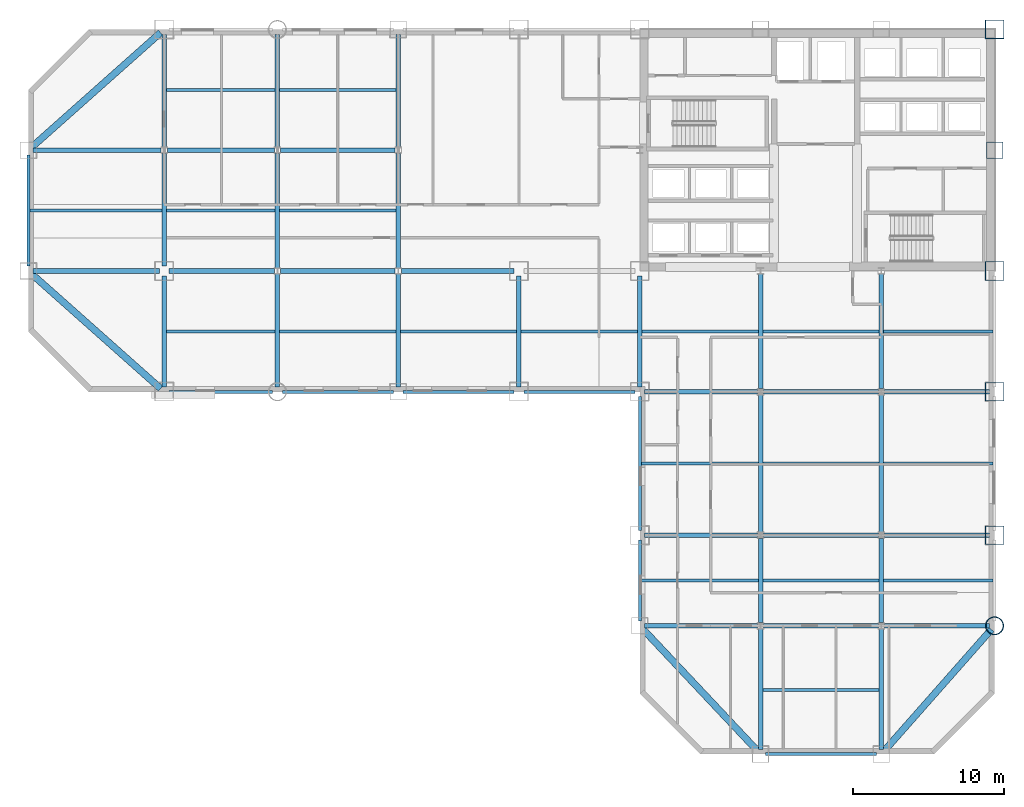
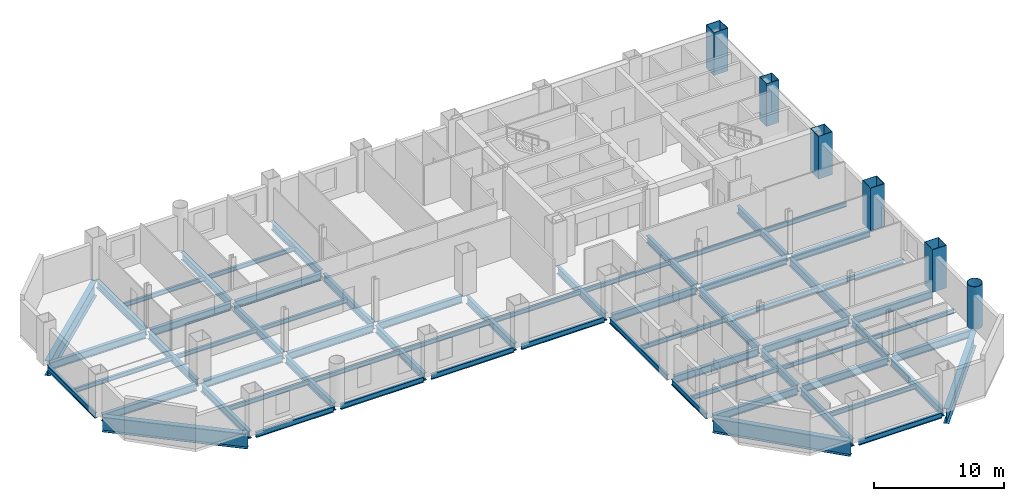
# One storey, part 3 of 9: 66 beams, 6 columns.
"""IFC4 building model written with IfcOpenShell, lengths in metres."""

from ifc_helpers import new_model, si_unit, direction, frame, origin, origin_2d, place, context, subcontext, project, spatial, hollow_rectangle, hollow_circle, i_section, extrude, material, material_profile, profile_set, type_object, element, save


model = new_model("IFC4")

# Units and contexts
model_context = context("Model", 3, precision=1e-05, world=origin(), true_north=direction((0.0, 1.0)))
body_context = subcontext(model_context, "Body", "Model", "MODEL_VIEW")
ifc_project = project(units=[si_unit("LENGTHUNIT", "METRE"), si_unit("AREAUNIT", "SQUARE_METRE"), si_unit("VOLUMEUNIT", "CUBIC_METRE"), si_unit("PLANEANGLEUNIT", "RADIAN"), si_unit("MASSUNIT", "GRAM", prefix="KILO")], contexts=[model_context])

# Site, building, storey
site_placement = place(None, origin())
site = spatial("IfcSite", under=ifc_project, at=site_placement, CompositionType="ELEMENT")
building_placement = place(site_placement, origin())
building = spatial("IfcBuilding", under=site, at=building_placement, Name="Qianrong Seaharbour Tower", CompositionType="ELEMENT")
storey_placement = place(building_placement, frame((0.0, 0.0, 32.199951171875)))
storey = spatial("IfcBuildingStorey", under=building, at=storey_placement, Name="L07", CompositionType="ELEMENT", Elevation=32.199951171875)

# Columns
ifc_material_1 = material(Name="Structural steel SN490B", Category="steel")
ifc_material_profile_1 = material_profile(ifc_material_1, hollow_rectangle(XDim=1.25, YDim=1.25, WallThickness=0.044921875, at=origin_2d()), Name="BOX1250x1250x45")
ifc_profile_set_1 = profile_set([ifc_material_profile_1], Name="Structural steel SN490B")
column_type_1 = type_object("IfcColumnType", Name="COL-CFT-1250", PredefinedType="COLUMN", material=ifc_profile_set_1)
for number, where, z_axis, x_axis, name in (
    (1, (64.0, 18.5, 0.0), (0.0, 0.0, 1.0), (1.0, 0.0, 0.0), "L07 Column MC-2 at G9/GD"),
    (2, (64.0, 28.0, 0.0), (0.0, 0.0, 1.0), (1.0, 0.0, 0.0), "L07 Column MC-2 at G9/GE"),
    (3, (64.0, 36.0, 0.0), (0.0, 0.0, 1.0), (1.0, 0.0, 0.0), "L07 Column MC-2 at G9/GF"),
    (4, (64.0, 52.0, 0.0), (0.0, 0.0, 1.0), (1.0, 0.0, 0.0), "L07 Column MC-2 at G9/GH"),
):
    element("IfcColumn", number, at=place(storey_placement, frame(where, z_axis=z_axis, x_axis=x_axis)), inside=storey, type_object=column_type_1, Name=name, PredefinedType="COLUMN", context=body_context, shape_type="SweptSolid", body=[
        extrude(hollow_rectangle(XDim=1.25, YDim=1.25, WallThickness=0.044921875, at=origin_2d()), origin(), (0.0, 0.0, 1.0), 4.0),
    ])
ifc_material_profile_2 = material_profile(ifc_material_1, hollow_circle(Radius=0.60009765625, WallThickness=0.0400390625, at=origin_2d()), Name="CHS1200x40")
ifc_profile_set_2 = profile_set([ifc_material_profile_2], Name="Structural steel SN490B")
column_type_2 = type_object("IfcColumnType", Name="COL-CHS-1200", PredefinedType="COLUMN", material=ifc_profile_set_2)
column_1_placement = place(storey_placement, frame((64.0, 12.5, 0.0), z_axis=(0.0, 0.0, 1.0), x_axis=(1.0, 0.0, 0.0)))
element("IfcColumn", 5, at=column_1_placement, inside=storey, type_object=column_type_2, Name="L07 Column CC-1 at G9/GC", PredefinedType="COLUMN", context=body_context, shape_type="SweptSolid", body=[
    extrude(hollow_circle(Radius=0.60009765625, WallThickness=0.0400390625, at=origin_2d()), origin(), (0.0, 0.0, 1.0), 4.0),
])
ifc_material_profile_3 = material_profile(ifc_material_1, hollow_rectangle(XDim=1.10009765625, YDim=1.10009765625, WallThickness=0.0400390625, at=origin_2d()), Name="BOX1100x1100x40")
ifc_profile_set_3 = profile_set([ifc_material_profile_3], Name="Structural steel SN490B")
column_type_3 = type_object("IfcColumnType", Name="COL-PER-1100", PredefinedType="COLUMN", material=ifc_profile_set_3)
column_2_placement = place(storey_placement, frame((64.0, 44.0, 0.0), z_axis=(0.0, 0.0, 1.0), x_axis=(1.0, 0.0, 0.0)))
element("IfcColumn", 6, at=column_2_placement, inside=storey, type_object=column_type_3, Name="L07 Column PC-1 at G9/GG", PredefinedType="COLUMN", context=body_context, shape_type="SweptSolid", body=[
    extrude(hollow_rectangle(XDim=1.10009765625, YDim=1.10009765625, WallThickness=0.0400390625, at=origin_2d()), origin(), (0.0, 0.0, 1.0), 4.0),
])

# Beams
ifc_material_profile_4 = material_profile(ifc_material_1, i_section(OverallWidth=0.300048828125, OverallDepth=0.699951171875, WebThickness=0.012939453125, FlangeThickness=0.02392578125, FilletRadius=0.02587890625, at=origin_2d()), Name="H700x300x13x24")
ifc_profile_set_4 = profile_set([ifc_material_profile_4], Name="Structural steel SN490B")
beam_type_1 = type_object("IfcBeamType", Name="BM-G-700", PredefinedType="BEAM", material=ifc_profile_set_4)
beam_1_placement = place(storey_placement, frame((40.820068359375, 12.5, -0.599853515625), z_axis=(1.0, 0.0, 0.0), x_axis=(0.0, 1.0, 0.0)))
element("IfcBeam", 7, at=beam_1_placement, inside=storey, type_object=beam_type_1, Name="L07 Primary Girder GC G6-G7", PredefinedType="BEAM", context=body_context, shape_type="SweptSolid", body=[
    extrude(i_section(OverallWidth=0.300048828125, OverallDepth=0.699951171875, WebThickness=0.012939453125, FlangeThickness=0.02392578125, FilletRadius=0.02587890625, at=origin_2d()), origin(), (0.0, 0.0, 1.0), 7.476318359375),
])
beam_2_placement = place(storey_placement, frame((48.70361328125, 12.5, -0.599853515625), z_axis=(1.0, 0.0, 0.0), x_axis=(0.0, 1.0, 0.0)))
element("IfcBeam", 8, at=beam_2_placement, inside=storey, type_object=beam_type_1, Name="L07 Primary Girder GC G7-G8", PredefinedType="BEAM", context=body_context, shape_type="SweptSolid", body=[
    extrude(i_section(OverallWidth=0.300048828125, OverallDepth=0.699951171875, WebThickness=0.012939453125, FlangeThickness=0.02392578125, FilletRadius=0.02587890625, at=origin_2d()), origin(), (0.0, 0.0, 1.0), 7.5927734375),
])
beam_3_placement = place(storey_placement, frame((56.70361328125, 12.5, -0.599853515625), z_axis=(1.0, 0.0, 0.0), x_axis=(0.0, 1.0, 0.0)))
element("IfcBeam", 9, at=beam_3_placement, inside=storey, type_object=beam_type_1, Name="L07 Primary Girder GC G8-G9", PredefinedType="BEAM", context=body_context, shape_type="SweptSolid", body=[
    extrude(i_section(OverallWidth=0.300048828125, OverallDepth=0.699951171875, WebThickness=0.012939453125, FlangeThickness=0.02392578125, FilletRadius=0.02587890625, at=origin_2d()), origin(), (0.0, 0.0, 1.0), 6.976318359375),
])
beam_4_placement = place(storey_placement, frame((40.820068359375, 18.5, -0.599853515625), z_axis=(1.0, 0.0, 0.0), x_axis=(0.0, 1.0, 0.0)))
element("IfcBeam", 10, at=beam_4_placement, inside=storey, type_object=beam_type_1, Name="L07 Primary Girder GD G6-G7", PredefinedType="BEAM", context=body_context, shape_type="SweptSolid", body=[
    extrude(i_section(OverallWidth=0.300048828125, OverallDepth=0.699951171875, WebThickness=0.012939453125, FlangeThickness=0.02392578125, FilletRadius=0.02587890625, at=origin_2d()), origin(), (0.0, 0.0, 1.0), 7.476318359375),
])
beam_5_placement = place(storey_placement, frame((48.70361328125, 18.5, -0.599853515625), z_axis=(1.0, 0.0, 0.0), x_axis=(0.0, 1.0, 0.0)))
element("IfcBeam", 11, at=beam_5_placement, inside=storey, type_object=beam_type_1, Name="L07 Primary Girder GD G7-G8", PredefinedType="BEAM", context=body_context, shape_type="SweptSolid", body=[
    extrude(i_section(OverallWidth=0.300048828125, OverallDepth=0.699951171875, WebThickness=0.012939453125, FlangeThickness=0.02392578125, FilletRadius=0.02587890625, at=origin_2d()), origin(), (0.0, 0.0, 1.0), 7.5927734375),
])
beam_6_placement = place(storey_placement, frame((56.70361328125, 18.5, -0.599853515625), z_axis=(1.0, 0.0, 0.0), x_axis=(0.0, 1.0, 0.0)))
element("IfcBeam", 12, at=beam_6_placement, inside=storey, type_object=beam_type_1, Name="L07 Primary Girder GD G8-G9", PredefinedType="BEAM", context=body_context, shape_type="SweptSolid", body=[
    extrude(i_section(OverallWidth=0.300048828125, OverallDepth=0.699951171875, WebThickness=0.012939453125, FlangeThickness=0.02392578125, FilletRadius=0.02587890625, at=origin_2d()), origin(), (0.0, 0.0, 1.0), 6.976318359375),
])
beam_7_placement = place(storey_placement, frame((40.820068359375, 28.0, -0.599853515625), z_axis=(1.0, 0.0, 0.0), x_axis=(0.0, 1.0, 0.0)))
element("IfcBeam", 13, at=beam_7_placement, inside=storey, type_object=beam_type_1, Name="L07 Primary Girder GE G6-G7", PredefinedType="BEAM", context=body_context, shape_type="SweptSolid", body=[
    extrude(i_section(OverallWidth=0.300048828125, OverallDepth=0.699951171875, WebThickness=0.012939453125, FlangeThickness=0.02392578125, FilletRadius=0.02587890625, at=origin_2d()), origin(), (0.0, 0.0, 1.0), 7.476318359375),
])
beam_8_placement = place(storey_placement, frame((48.70361328125, 28.0, -0.599853515625), z_axis=(1.0, 0.0, 0.0), x_axis=(0.0, 1.0, 0.0)))
element("IfcBeam", 14, at=beam_8_placement, inside=storey, type_object=beam_type_1, Name="L07 Primary Girder GE G7-G8", PredefinedType="BEAM", context=body_context, shape_type="SweptSolid", body=[
    extrude(i_section(OverallWidth=0.300048828125, OverallDepth=0.699951171875, WebThickness=0.012939453125, FlangeThickness=0.02392578125, FilletRadius=0.02587890625, at=origin_2d()), origin(), (0.0, 0.0, 1.0), 7.5927734375),
])
beam_9_placement = place(storey_placement, frame((56.70361328125, 28.0, -0.599853515625), z_axis=(1.0, 0.0, 0.0), x_axis=(0.0, 1.0, 0.0)))
element("IfcBeam", 15, at=beam_9_placement, inside=storey, type_object=beam_type_1, Name="L07 Primary Girder GE G8-G9", PredefinedType="BEAM", context=body_context, shape_type="SweptSolid", body=[
    extrude(i_section(OverallWidth=0.300048828125, OverallDepth=0.699951171875, WebThickness=0.012939453125, FlangeThickness=0.02392578125, FilletRadius=0.02587890625, at=origin_2d()), origin(), (0.0, 0.0, 1.0), 6.976318359375),
])
beam_10_placement = place(storey_placement, frame((0.320068359375, 36.0, -0.599853515625), z_axis=(1.0, 0.0, 0.0), x_axis=(0.0, 1.0, 0.0)))
element("IfcBeam", 16, at=beam_10_placement, inside=storey, type_object=beam_type_1, Name="L07 Primary Girder GF G1-G2", PredefinedType="BEAM", context=body_context, shape_type="SweptSolid", body=[
    extrude(i_section(OverallWidth=0.300048828125, OverallDepth=0.699951171875, WebThickness=0.012939453125, FlangeThickness=0.02392578125, FilletRadius=0.02587890625, at=origin_2d()), origin(), (0.0, 0.0, 1.0), 8.35986328125),
])
beam_11_placement = place(storey_placement, frame((9.320068359375, 36.0, -0.599853515625), z_axis=(1.0, 0.0, 0.0), x_axis=(0.0, 1.0, 0.0)))
element("IfcBeam", 17, at=beam_11_placement, inside=storey, type_object=beam_type_1, Name="L07 Primary Girder GF G2-G3", PredefinedType="BEAM", context=body_context, shape_type="SweptSolid", body=[
    extrude(i_section(OverallWidth=0.300048828125, OverallDepth=0.699951171875, WebThickness=0.012939453125, FlangeThickness=0.02392578125, FilletRadius=0.02587890625, at=origin_2d()), origin(), (0.0, 0.0, 1.0), 6.976318359375),
])
beam_12_placement = place(storey_placement, frame((16.70361328125, 36.0, -0.599853515625), z_axis=(1.0, 0.0, 0.0), x_axis=(0.0, 1.0, 0.0)))
element("IfcBeam", 18, at=beam_12_placement, inside=storey, type_object=beam_type_1, Name="L07 Primary Girder GF G3-G4", PredefinedType="BEAM", context=body_context, shape_type="SweptSolid", body=[
    extrude(i_section(OverallWidth=0.300048828125, OverallDepth=0.699951171875, WebThickness=0.012939453125, FlangeThickness=0.02392578125, FilletRadius=0.02587890625, at=origin_2d()), origin(), (0.0, 0.0, 1.0), 7.5927734375),
])
beam_13_placement = place(storey_placement, frame((24.70361328125, 36.0, -0.599853515625), z_axis=(1.0, 0.0, 0.0), x_axis=(0.0, 1.0, 0.0)))
element("IfcBeam", 19, at=beam_13_placement, inside=storey, type_object=beam_type_1, Name="L07 Primary Girder GF G4-G5", PredefinedType="BEAM", context=body_context, shape_type="SweptSolid", body=[
    extrude(i_section(OverallWidth=0.300048828125, OverallDepth=0.699951171875, WebThickness=0.012939453125, FlangeThickness=0.02392578125, FilletRadius=0.02587890625, at=origin_2d()), origin(), (0.0, 0.0, 1.0), 7.476318359375),
])
beam_14_placement = place(storey_placement, frame((0.320068359375, 44.0, -0.599853515625), z_axis=(1.0, 0.0, 0.0), x_axis=(0.0, 1.0, 0.0)))
element("IfcBeam", 20, at=beam_14_placement, inside=storey, type_object=beam_type_1, Name="L07 Primary Girder GG G1-G2", PredefinedType="BEAM", context=body_context, shape_type="SweptSolid", body=[
    extrude(i_section(OverallWidth=0.300048828125, OverallDepth=0.699951171875, WebThickness=0.012939453125, FlangeThickness=0.02392578125, FilletRadius=0.02587890625, at=origin_2d()), origin(), (0.0, 0.0, 1.0), 8.476318359375),
])
beam_15_placement = place(storey_placement, frame((9.20361328125, 44.0, -0.599853515625), z_axis=(1.0, 0.0, 0.0), x_axis=(0.0, 1.0, 0.0)))
element("IfcBeam", 21, at=beam_15_placement, inside=storey, type_object=beam_type_1, Name="L07 Primary Girder GG G2-G3", PredefinedType="BEAM", context=body_context, shape_type="SweptSolid", body=[
    extrude(i_section(OverallWidth=0.300048828125, OverallDepth=0.699951171875, WebThickness=0.012939453125, FlangeThickness=0.02392578125, FilletRadius=0.02587890625, at=origin_2d()), origin(), (0.0, 0.0, 1.0), 7.0927734375),
])
beam_16_placement = place(storey_placement, frame((16.70361328125, 44.0, -0.599853515625), z_axis=(1.0, 0.0, 0.0), x_axis=(0.0, 1.0, 0.0)))
element("IfcBeam", 22, at=beam_16_placement, inside=storey, type_object=beam_type_1, Name="L07 Primary Girder GG G3-G4", PredefinedType="BEAM", context=body_context, shape_type="SweptSolid", body=[
    extrude(i_section(OverallWidth=0.300048828125, OverallDepth=0.699951171875, WebThickness=0.012939453125, FlangeThickness=0.02392578125, FilletRadius=0.02587890625, at=origin_2d()), origin(), (0.0, 0.0, 1.0), 7.5927734375),
])
beam_17_placement = place(storey_placement, frame((9.0, 28.320068359375, -0.599853515625), z_axis=(0.0, 1.0, 0.0), x_axis=(-1.0, 0.0, 0.0)))
element("IfcBeam", 23, at=beam_17_placement, inside=storey, type_object=beam_type_1, Name="L07 Primary Girder G2 GE-GF", PredefinedType="BEAM", context=body_context, shape_type="SweptSolid", body=[
    extrude(i_section(OverallWidth=0.300048828125, OverallDepth=0.699951171875, WebThickness=0.012939453125, FlangeThickness=0.02392578125, FilletRadius=0.02587890625, at=origin_2d()), origin(), (0.0, 0.0, 1.0), 7.35986328125),
])
for number, where, z_axis, x_axis, name in (
    (24, (9.0, 36.320068359375, -0.599853515625), (0.0, 1.0, 0.0), (-1.0, 0.0, 0.0), "L07 Primary Girder G2 GF-GG"),
    (25, (9.0, 44.214111328125, -0.599853515625), (0.0, 1.0, 0.0), (-1.0, 0.0, 0.0), "L07 Primary Girder G2 GG-GH"),
    (26, (16.5, 28.320068359375, -0.599853515625), (0.0, 1.0, 0.0), (-1.0, 0.0, 0.0), "L07 Primary Girder G3 GE-GF"),
):
    element("IfcBeam", number, at=place(storey_placement, frame(where, z_axis=z_axis, x_axis=x_axis)), inside=storey, type_object=beam_type_1, Name=name, PredefinedType="BEAM", context=body_context, shape_type="SweptSolid", body=[
        extrude(i_section(OverallWidth=0.300048828125, OverallDepth=0.699951171875, WebThickness=0.012939453125, FlangeThickness=0.02392578125, FilletRadius=0.02587890625, at=origin_2d()), origin(), (0.0, 0.0, 1.0), 7.4658203125),
    ])
beam_18_placement = place(storey_placement, frame((16.5, 36.214111328125, -0.599853515625), z_axis=(0.0, 1.0, 0.0), x_axis=(-1.0, 0.0, 0.0)))
element("IfcBeam", 27, at=beam_18_placement, inside=storey, type_object=beam_type_1, Name="L07 Primary Girder G3 GF-GG", PredefinedType="BEAM", context=body_context, shape_type="SweptSolid", body=[
    extrude(i_section(OverallWidth=0.300048828125, OverallDepth=0.699951171875, WebThickness=0.012939453125, FlangeThickness=0.02392578125, FilletRadius=0.02587890625, at=origin_2d()), origin(), (0.0, 0.0, 1.0), 7.57177734375),
])
for number, where, z_axis, x_axis, name in (
    (28, (16.5, 44.214111328125, -0.599853515625), (0.0, 1.0, 0.0), (-1.0, 0.0, 0.0), "L07 Primary Girder G3 GG-GH"),
    (29, (24.5, 28.320068359375, -0.599853515625), (0.0, 1.0, 0.0), (-1.0, 0.0, 0.0), "L07 Primary Girder G4 GE-GF"),
):
    element("IfcBeam", number, at=place(storey_placement, frame(where, z_axis=z_axis, x_axis=x_axis)), inside=storey, type_object=beam_type_1, Name=name, PredefinedType="BEAM", context=body_context, shape_type="SweptSolid", body=[
        extrude(i_section(OverallWidth=0.300048828125, OverallDepth=0.699951171875, WebThickness=0.012939453125, FlangeThickness=0.02392578125, FilletRadius=0.02587890625, at=origin_2d()), origin(), (0.0, 0.0, 1.0), 7.4658203125),
    ])
beam_19_placement = place(storey_placement, frame((24.5, 36.214111328125, -0.599853515625), z_axis=(0.0, 1.0, 0.0), x_axis=(-1.0, 0.0, 0.0)))
element("IfcBeam", 30, at=beam_19_placement, inside=storey, type_object=beam_type_1, Name="L07 Primary Girder G4 GF-GG", PredefinedType="BEAM", context=body_context, shape_type="SweptSolid", body=[
    extrude(i_section(OverallWidth=0.300048828125, OverallDepth=0.699951171875, WebThickness=0.012939453125, FlangeThickness=0.02392578125, FilletRadius=0.02587890625, at=origin_2d()), origin(), (0.0, 0.0, 1.0), 7.57177734375),
])
beam_20_placement = place(storey_placement, frame((24.5, 44.214111328125, -0.599853515625), z_axis=(0.0, 1.0, 0.0), x_axis=(-1.0, 0.0, 0.0)))
element("IfcBeam", 31, at=beam_20_placement, inside=storey, type_object=beam_type_1, Name="L07 Primary Girder G4 GG-GH", PredefinedType="BEAM", context=body_context, shape_type="SweptSolid", body=[
    extrude(i_section(OverallWidth=0.300048828125, OverallDepth=0.699951171875, WebThickness=0.012939453125, FlangeThickness=0.02392578125, FilletRadius=0.02587890625, at=origin_2d()), origin(), (0.0, 0.0, 1.0), 7.4658203125),
])
for number, where, z_axis, x_axis, name in (
    (32, (32.5, 28.320068359375, -0.599853515625), (0.0, 1.0, 0.0), (-1.0, 0.0, 0.0), "L07 Primary Girder G5 GE-GF"),
    (33, (40.5, 28.320068359375, -0.599853515625), (0.0, 1.0, 0.0), (-1.0, 0.0, 0.0), "L07 Primary Girder G6 GE-GF"),
):
    element("IfcBeam", number, at=place(storey_placement, frame(where, z_axis=z_axis, x_axis=x_axis)), inside=storey, type_object=beam_type_1, Name=name, PredefinedType="BEAM", context=body_context, shape_type="SweptSolid", body=[
        extrude(i_section(OverallWidth=0.300048828125, OverallDepth=0.699951171875, WebThickness=0.012939453125, FlangeThickness=0.02392578125, FilletRadius=0.02587890625, at=origin_2d()), origin(), (0.0, 0.0, 1.0), 7.35986328125),
    ])
beam_21_placement = place(storey_placement, frame((48.5, 4.320068359375, -0.599853515625), z_axis=(0.0, 1.0, 0.0), x_axis=(-1.0, 0.0, 0.0)))
element("IfcBeam", 34, at=beam_21_placement, inside=storey, type_object=beam_type_1, Name="L07 Primary Girder G7 GB-GC", PredefinedType="BEAM", context=body_context, shape_type="SweptSolid", body=[
    extrude(i_section(OverallWidth=0.300048828125, OverallDepth=0.699951171875, WebThickness=0.012939453125, FlangeThickness=0.02392578125, FilletRadius=0.02587890625, at=origin_2d()), origin(), (0.0, 0.0, 1.0), 7.9658203125),
])
beam_22_placement = place(storey_placement, frame((48.5, 12.714111328125, -0.599853515625), z_axis=(0.0, 1.0, 0.0), x_axis=(-1.0, 0.0, 0.0)))
element("IfcBeam", 35, at=beam_22_placement, inside=storey, type_object=beam_type_1, Name="L07 Primary Girder G7 GC-GD", PredefinedType="BEAM", context=body_context, shape_type="SweptSolid", body=[
    extrude(i_section(OverallWidth=0.300048828125, OverallDepth=0.699951171875, WebThickness=0.012939453125, FlangeThickness=0.02392578125, FilletRadius=0.02587890625, at=origin_2d()), origin(), (0.0, 0.0, 1.0), 5.57177734375),
])
beam_23_placement = place(storey_placement, frame((48.5, 28.214111328125, -0.599853515625), z_axis=(0.0, 1.0, 0.0), x_axis=(-1.0, 0.0, 0.0)))
element("IfcBeam", 36, at=beam_23_placement, inside=storey, type_object=beam_type_1, Name="L07 Primary Girder G7 GE-GF", PredefinedType="BEAM", context=body_context, shape_type="SweptSolid", body=[
    extrude(i_section(OverallWidth=0.300048828125, OverallDepth=0.699951171875, WebThickness=0.012939453125, FlangeThickness=0.02392578125, FilletRadius=0.02587890625, at=origin_2d()), origin(), (0.0, 0.0, 1.0), 7.57177734375),
])
beam_24_placement = place(storey_placement, frame((56.5, 4.320068359375, -0.599853515625), z_axis=(0.0, 1.0, 0.0), x_axis=(-1.0, 0.0, 0.0)))
element("IfcBeam", 37, at=beam_24_placement, inside=storey, type_object=beam_type_1, Name="L07 Primary Girder G8 GB-GC", PredefinedType="BEAM", context=body_context, shape_type="SweptSolid", body=[
    extrude(i_section(OverallWidth=0.300048828125, OverallDepth=0.699951171875, WebThickness=0.012939453125, FlangeThickness=0.02392578125, FilletRadius=0.02587890625, at=origin_2d()), origin(), (0.0, 0.0, 1.0), 7.9658203125),
])
beam_25_placement = place(storey_placement, frame((56.5, 12.714111328125, -0.599853515625), z_axis=(0.0, 1.0, 0.0), x_axis=(-1.0, 0.0, 0.0)))
element("IfcBeam", 38, at=beam_25_placement, inside=storey, type_object=beam_type_1, Name="L07 Primary Girder G8 GC-GD", PredefinedType="BEAM", context=body_context, shape_type="SweptSolid", body=[
    extrude(i_section(OverallWidth=0.300048828125, OverallDepth=0.699951171875, WebThickness=0.012939453125, FlangeThickness=0.02392578125, FilletRadius=0.02587890625, at=origin_2d()), origin(), (0.0, 0.0, 1.0), 5.57177734375),
])
beam_26_placement = place(storey_placement, frame((56.5, 28.214111328125, -0.599853515625), z_axis=(0.0, 1.0, 0.0), x_axis=(-1.0, 0.0, 0.0)))
element("IfcBeam", 39, at=beam_26_placement, inside=storey, type_object=beam_type_1, Name="L07 Primary Girder G8 GE-GF", PredefinedType="BEAM", context=body_context, shape_type="SweptSolid", body=[
    extrude(i_section(OverallWidth=0.300048828125, OverallDepth=0.699951171875, WebThickness=0.012939453125, FlangeThickness=0.02392578125, FilletRadius=0.02587890625, at=origin_2d()), origin(), (0.0, 0.0, 1.0), 7.57177734375),
])
ifc_material_profile_5 = material_profile(ifc_material_1, i_section(OverallWidth=0.300048828125, OverallDepth=0.800048828125, WebThickness=0.013916015625, FlangeThickness=0.02587890625, FilletRadius=0.028076171875, at=origin_2d()), Name="H800x300x14x26")
ifc_profile_set_5 = profile_set([ifc_material_profile_5], Name="Structural steel SN490B")
beam_type_2 = type_object("IfcBeamType", Name="BM-G-800", PredefinedType="BEAM", material=ifc_profile_set_5)
for number, where, z_axis, x_axis, name in (
    (40, (48.5, 18.714111328125, -0.64990234375), (0.0, 1.0, 0.0), (-1.0, 0.0, 0.0), "L07 Primary Girder G7 GD-GE"),
    (41, (56.5, 18.714111328125, -0.64990234375), (0.0, 1.0, 0.0), (-1.0, 0.0, 0.0), "L07 Primary Girder G8 GD-GE"),
):
    element("IfcBeam", number, at=place(storey_placement, frame(where, z_axis=z_axis, x_axis=x_axis)), inside=storey, type_object=beam_type_2, Name=name, PredefinedType="BEAM", context=body_context, shape_type="SweptSolid", body=[
        extrude(i_section(OverallWidth=0.300048828125, OverallDepth=0.800048828125, WebThickness=0.013916015625, FlangeThickness=0.02587890625, FilletRadius=0.028076171875, at=origin_2d()), origin(), (0.0, 0.0, 1.0), 9.07177734375),
    ])
ifc_material_2 = material(Name="Structural steel SN400B", Category="steel")
ifc_material_profile_6 = material_profile(ifc_material_2, i_section(OverallWidth=0.199951171875, OverallDepth=0.39990234375, WebThickness=0.008056640625, FlangeThickness=0.012939453125, FilletRadius=0.01611328125, at=origin_2d()), Name="H400x200x8x13")
ifc_profile_set_6 = profile_set([ifc_material_profile_6], Name="Structural steel SN400B")
beam_type_3 = type_object("IfcBeamType", Name="BM-J-400", PredefinedType="JOIST", material=ifc_profile_set_6)
beam_27_placement = place(storey_placement, frame((0.10009765625, 40.0, -0.449951171875), z_axis=(1.0, 0.0, 0.0), x_axis=(0.0, 1.0, 0.0)))
element("IfcBeam", 42, at=beam_27_placement, inside=storey, type_object=beam_type_3, Name="L07 Composite Floor Joist G1-G2/GF-GG", PredefinedType="JOIST", context=body_context, shape_type="SweptSolid", body=[
    extrude(i_section(OverallWidth=0.199951171875, OverallDepth=0.39990234375, WebThickness=0.008056640625, FlangeThickness=0.012939453125, FilletRadius=0.01611328125, at=origin_2d()), origin(), (0.0, 0.0, 1.0), 8.75),
])
for number, where, z_axis, x_axis, name in (
    (43, (9.14990234375, 32.0, -0.449951171875), (1.0, 0.0, 0.0), (0.0, 1.0, 0.0), "L07 Composite Floor Joist G2-G3/GE-GF"),
    (44, (9.14990234375, 40.0, -0.449951171875), (1.0, 0.0, 0.0), (0.0, 1.0, 0.0), "L07 Composite Floor Joist G2-G3/GF-GG"),
    (45, (9.14990234375, 48.0, -0.449951171875), (1.0, 0.0, 0.0), (0.0, 1.0, 0.0), "L07 Composite Floor Joist G2-G3/GG-GH"),
):
    element("IfcBeam", number, at=place(storey_placement, frame(where, z_axis=z_axis, x_axis=x_axis)), inside=storey, type_object=beam_type_3, Name=name, PredefinedType="JOIST", context=body_context, shape_type="SweptSolid", body=[
        extrude(i_section(OverallWidth=0.199951171875, OverallDepth=0.39990234375, WebThickness=0.008056640625, FlangeThickness=0.012939453125, FilletRadius=0.01611328125, at=origin_2d()), origin(), (0.0, 0.0, 1.0), 7.2001953125),
    ])
for number, where, z_axis, x_axis, name in (
    (46, (16.64990234375, 32.0, -0.449951171875), (1.0, 0.0, 0.0), (0.0, 1.0, 0.0), "L07 Composite Floor Joist G3-G4/GE-GF"),
    (47, (16.64990234375, 40.0, -0.449951171875), (1.0, 0.0, 0.0), (0.0, 1.0, 0.0), "L07 Composite Floor Joist G3-G4/GF-GG"),
    (48, (16.64990234375, 48.0, -0.449951171875), (1.0, 0.0, 0.0), (0.0, 1.0, 0.0), "L07 Composite Floor Joist G3-G4/GG-GH"),
    (49, (24.64990234375, 32.0, -0.449951171875), (1.0, 0.0, 0.0), (0.0, 1.0, 0.0), "L07 Composite Floor Joist G4-G5/GE-GF"),
    (50, (32.64990234375, 32.0, -0.449951171875), (1.0, 0.0, 0.0), (0.0, 1.0, 0.0), "L07 Composite Floor Joist G5-G6/GE-GF"),
):
    element("IfcBeam", number, at=place(storey_placement, frame(where, z_axis=z_axis, x_axis=x_axis)), inside=storey, type_object=beam_type_3, Name=name, PredefinedType="JOIST", context=body_context, shape_type="SweptSolid", body=[
        extrude(i_section(OverallWidth=0.199951171875, OverallDepth=0.39990234375, WebThickness=0.008056640625, FlangeThickness=0.012939453125, FilletRadius=0.01611328125, at=origin_2d()), origin(), (0.0, 0.0, 1.0), 7.7001953125),
    ])
for number, where, z_axis, x_axis, name in (
    (51, (40.60009765625, 15.5, -0.449951171875), (1.0, 0.0, 0.0), (0.0, 1.0, 0.0), "L07 Composite Floor Joist G6-G7/GC-GD"),
    (52, (40.60009765625, 23.25, -0.449951171875), (1.0, 0.0, 0.0), (0.0, 1.0, 0.0), "L07 Composite Floor Joist G6-G7/GD-GE"),
):
    element("IfcBeam", number, at=place(storey_placement, frame(where, z_axis=z_axis, x_axis=x_axis)), inside=storey, type_object=beam_type_3, Name=name, PredefinedType="JOIST", context=body_context, shape_type="SweptSolid", body=[
        extrude(i_section(OverallWidth=0.199951171875, OverallDepth=0.39990234375, WebThickness=0.008056640625, FlangeThickness=0.012939453125, FilletRadius=0.01611328125, at=origin_2d()), origin(), (0.0, 0.0, 1.0), 7.75),
    ])
for number, where, z_axis, x_axis, name in (
    (53, (40.64990234375, 32.0, -0.449951171875), (1.0, 0.0, 0.0), (0.0, 1.0, 0.0), "L07 Composite Floor Joist G6-G7/GE-GF"),
    (54, (48.64990234375, 8.25, -0.449951171875), (1.0, 0.0, 0.0), (0.0, 1.0, 0.0), "L07 Composite Floor Joist G7-G8/GB-GC"),
    (55, (48.64990234375, 15.5, -0.449951171875), (1.0, 0.0, 0.0), (0.0, 1.0, 0.0), "L07 Composite Floor Joist G7-G8/GC-GD"),
    (56, (48.64990234375, 23.25, -0.449951171875), (1.0, 0.0, 0.0), (0.0, 1.0, 0.0), "L07 Composite Floor Joist G7-G8/GD-GE"),
    (57, (48.64990234375, 32.0, -0.449951171875), (1.0, 0.0, 0.0), (0.0, 1.0, 0.0), "L07 Composite Floor Joist G7-G8/GE-GF"),
):
    element("IfcBeam", number, at=place(storey_placement, frame(where, z_axis=z_axis, x_axis=x_axis)), inside=storey, type_object=beam_type_3, Name=name, PredefinedType="JOIST", context=body_context, shape_type="SweptSolid", body=[
        extrude(i_section(OverallWidth=0.199951171875, OverallDepth=0.39990234375, WebThickness=0.008056640625, FlangeThickness=0.012939453125, FilletRadius=0.01611328125, at=origin_2d()), origin(), (0.0, 0.0, 1.0), 7.7001953125),
    ])
for number, where, z_axis, x_axis, name in (
    (58, (56.64990234375, 15.5, -0.449951171875), (1.0, 0.0, 0.0), (0.0, 1.0, 0.0), "L07 Composite Floor Joist G8-G9/GC-GD"),
    (59, (56.64990234375, 23.25, -0.449951171875), (1.0, 0.0, 0.0), (0.0, 1.0, 0.0), "L07 Composite Floor Joist G8-G9/GD-GE"),
    (60, (56.64990234375, 32.0, -0.449951171875), (1.0, 0.0, 0.0), (0.0, 1.0, 0.0), "L07 Composite Floor Joist G8-G9/GE-GF"),
):
    element("IfcBeam", number, at=place(storey_placement, frame(where, z_axis=z_axis, x_axis=x_axis)), inside=storey, type_object=beam_type_3, Name=name, PredefinedType="JOIST", context=body_context, shape_type="SweptSolid", body=[
        extrude(i_section(OverallWidth=0.199951171875, OverallDepth=0.39990234375, WebThickness=0.008056640625, FlangeThickness=0.012939453125, FilletRadius=0.01611328125, at=origin_2d()), origin(), (0.0, 0.0, 1.0), 7.25),
    ])
ifc_material_profile_7 = material_profile(ifc_material_1, i_section(OverallWidth=0.199951171875, OverallDepth=0.5, WebThickness=0.010009765625, FlangeThickness=0.01611328125, FilletRadius=0.02001953125, at=origin_2d()), Name="H500x200x10x16")
ifc_profile_set_7 = profile_set([ifc_material_profile_7], Name="Structural steel SN490B")
beam_type_4 = type_object("IfcBeamType", Name="BM-SP-500", PredefinedType="SPANDREL", material=ifc_profile_set_7)
beam_28_placement = place(storey_placement, frame((48.820068359375, 4.0, -0.5), z_axis=(1.0, 0.0, 0.0), x_axis=(0.0, 1.0, 0.0)))
element("IfcBeam", 61, at=beam_28_placement, inside=storey, type_object=beam_type_4, Name="L07 Spandrel Girder GB G7-G8", PredefinedType="SPANDREL", context=body_context, shape_type="SweptSolid", body=[
    extrude(i_section(OverallWidth=0.199951171875, OverallDepth=0.5, WebThickness=0.010009765625, FlangeThickness=0.01611328125, FilletRadius=0.02001953125, at=origin_2d()), origin(), (0.0, 0.0, 1.0), 7.35986328125),
])
beam_29_placement = place(storey_placement, frame((9.320068359375, 28.0, -0.5), z_axis=(1.0, 0.0, 0.0), x_axis=(0.0, 1.0, 0.0)))
element("IfcBeam", 62, at=beam_29_placement, inside=storey, type_object=beam_type_4, Name="L07 Spandrel Girder GE G2-G3", PredefinedType="SPANDREL", context=body_context, shape_type="SweptSolid", body=[
    extrude(i_section(OverallWidth=0.199951171875, OverallDepth=0.5, WebThickness=0.010009765625, FlangeThickness=0.01611328125, FilletRadius=0.02001953125, at=origin_2d()), origin(), (0.0, 0.0, 1.0), 6.85986328125),
])
for number, where, z_axis, x_axis, name in (
    (63, (16.820068359375, 28.0, -0.5), (1.0, 0.0, 0.0), (0.0, 1.0, 0.0), "L07 Spandrel Girder GE G3-G4"),
    (64, (24.820068359375, 28.0, -0.5), (1.0, 0.0, 0.0), (0.0, 1.0, 0.0), "L07 Spandrel Girder GE G4-G5"),
    (65, (32.820068359375, 28.0, -0.5), (1.0, 0.0, 0.0), (0.0, 1.0, 0.0), "L07 Spandrel Girder GE G5-G6"),
    (66, (0.0, 36.320068359375, -0.5), (0.0, 1.0, 0.0), (-1.0, 0.0, 0.0), "L07 Spandrel Girder G1 GF-GG"),
):
    element("IfcBeam", number, at=place(storey_placement, frame(where, z_axis=z_axis, x_axis=x_axis)), inside=storey, type_object=beam_type_4, Name=name, PredefinedType="SPANDREL", context=body_context, shape_type="SweptSolid", body=[
        extrude(i_section(OverallWidth=0.199951171875, OverallDepth=0.5, WebThickness=0.010009765625, FlangeThickness=0.01611328125, FilletRadius=0.02001953125, at=origin_2d()), origin(), (0.0, 0.0, 1.0), 7.35986328125),
    ])
beam_30_placement = place(storey_placement, frame((40.5, 12.820068359375, -0.5), z_axis=(0.0, 1.0, 0.0), x_axis=(-1.0, 0.0, 0.0)))
element("IfcBeam", 67, at=beam_30_placement, inside=storey, type_object=beam_type_4, Name="L07 Spandrel Girder G6 GC-GD", PredefinedType="SPANDREL", context=body_context, shape_type="SweptSolid", body=[
    extrude(i_section(OverallWidth=0.199951171875, OverallDepth=0.5, WebThickness=0.010009765625, FlangeThickness=0.01611328125, FilletRadius=0.02001953125, at=origin_2d()), origin(), (0.0, 0.0, 1.0), 5.35986328125),
])
beam_31_placement = place(storey_placement, frame((40.5, 18.820068359375, -0.5), z_axis=(0.0, 1.0, 0.0), x_axis=(-1.0, 0.0, 0.0)))
element("IfcBeam", 68, at=beam_31_placement, inside=storey, type_object=beam_type_4, Name="L07 Spandrel Girder G6 GD-GE", PredefinedType="SPANDREL", context=body_context, shape_type="SweptSolid", body=[
    extrude(i_section(OverallWidth=0.199951171875, OverallDepth=0.5, WebThickness=0.010009765625, FlangeThickness=0.01611328125, FilletRadius=0.02001953125, at=origin_2d()), origin(), (0.0, 0.0, 1.0), 8.85986328125),
])
ifc_material_profile_8 = material_profile(ifc_material_1, i_section(OverallWidth=0.449951171875, OverallDepth=1.39990234375, WebThickness=0.02197265625, FlangeThickness=0.0400390625, at=origin_2d()), Name="BH1400x450x22x40")
ifc_profile_set_8 = profile_set([ifc_material_profile_8], Name="Structural steel SN490B")
beam_type_5 = type_object("IfcBeamType", Name="BM-TG-1400", PredefinedType="BEAM", material=ifc_profile_set_8)
for number, where, z_axis, x_axis, name in (
    (69, (8.7607421875, 28.212646484375, -0.949951171875), (-0.747406955841, 0.664366497018, 0.0), (-0.664366497018, -0.747406955841, 0.0), "L07 Chamfer Corner Spandrel Girder G1/GE"),
    (70, (8.7607421875, 51.787353515625, -0.949951171875), (-0.747406955841, -0.664366497018, 0.0), (0.664366497018, -0.747406955841, 0.0), "L07 Chamfer Corner Spandrel Girder G1/GH"),
):
    element("IfcBeam", number, at=place(storey_placement, frame(where, z_axis=z_axis, x_axis=x_axis)), inside=storey, type_object=beam_type_5, Name=name, PredefinedType="BEAM", context=body_context, shape_type="SweptSolid", body=[
        extrude(i_section(OverallWidth=0.449951171875, OverallDepth=1.39990234375, WebThickness=0.02197265625, FlangeThickness=0.0400390625, at=origin_2d()), origin(), (0.0, 0.0, 1.0), 11.4013671875),
    ])
beam_32_placement = place(storey_placement, frame((48.28076171875, 4.23291015625, -0.949951171875), z_axis=(-0.685361938021, 0.728202591256, 0.0), x_axis=(-0.728202591256, -0.685361938021, 0.0)))
element("IfcBeam", 71, at=beam_32_placement, inside=storey, type_object=beam_type_5, Name="L07 Chamfer Corner Spandrel Girder G6/GB", PredefinedType="BEAM", context=body_context, shape_type="SweptSolid", body=[
    extrude(i_section(OverallWidth=0.449951171875, OverallDepth=1.39990234375, WebThickness=0.02197265625, FlangeThickness=0.0400390625, at=origin_2d()), origin(), (0.0, 0.0, 1.0), 11.032958984375),
])
beam_33_placement = place(storey_placement, frame((56.711669921875, 4.239990234375, -0.949951171875), z_axis=(0.661630696334, 0.749829861815, 0.0), x_axis=(-0.749829861815, 0.661630696334, 0.0)))
element("IfcBeam", 72, at=beam_33_placement, inside=storey, type_object=beam_type_5, Name="L07 Chamfer Corner Spandrel Girder G9/GB", PredefinedType="BEAM", context=body_context, shape_type="SweptSolid", body=[
    extrude(i_section(OverallWidth=0.449951171875, OverallDepth=1.39990234375, WebThickness=0.02197265625, FlangeThickness=0.0400390625, at=origin_2d()), origin(), (0.0, 0.0, 1.0), 10.69580078125),
])

save(model, "model.ifc")
